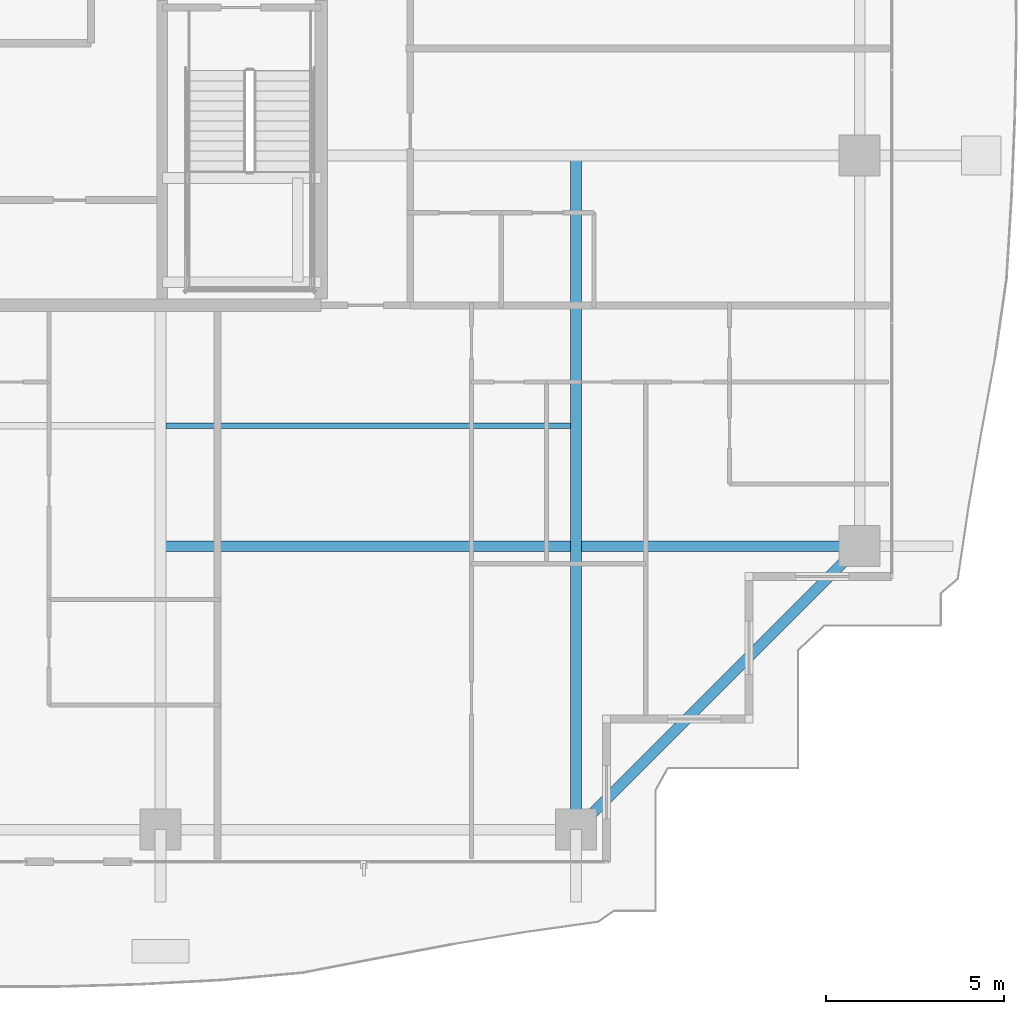
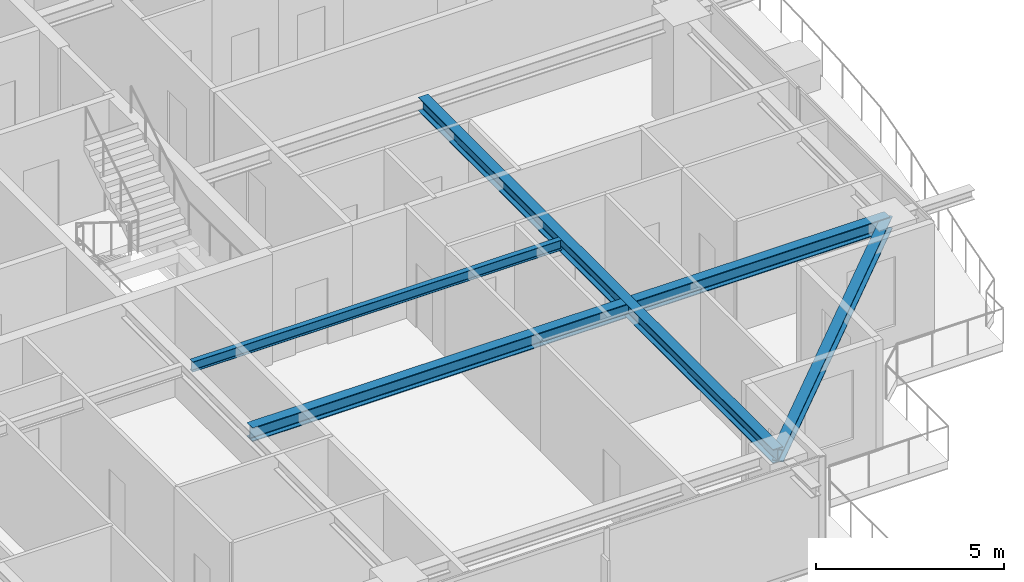
# One storey, part 12 of 38: 4 beams.
"""IFC4 building model written with IfcOpenShell, lengths in metres."""

import ifcopenshell
import ifcopenshell.guid

model = None  # the IFC model being written
_history = None  # IfcOwnerHistory: only IFC2X3 demands one
_inside = {}  # id of a spatial element -> (the spatial element, [elements in it])
_under = {}  # id of a project, library or spatial element -> (it, [spatial elements below it])
_declared = {}  # id of a project -> (the project, [libraries it declares])
_typed = {}  # id of a type object -> (the type object, [elements of that type])
_made_of = {}  # id of a material, layer set ... -> (it, [elements and type objects made of it])


def new_model(schema):
    """Start an empty IFC model of exactly this schema.

    Asked for "IFC4X3", IfcOpenShell would pick the latest addendum, in which some entities
    have other attributes; the version numbers below select the first issue.
    IFC2X3 requires an IfcOwnerHistory on every rooted entity: one is made here for all.
    """
    global model, _history
    if schema == "IFC4X3":
        model = ifcopenshell.file(schema_version=(4, 3, 0, 0))
    else:
        model = ifcopenshell.file(schema=schema)
    _inside.clear()
    _under.clear()
    _declared.clear()
    _typed.clear()
    _made_of.clear()
    _history = None
    if model.schema == "IFC2X3":
        org = make("IfcOrganization", Name="unknown")
        user = make(
            "IfcPersonAndOrganization",
            ThePerson=make("IfcPerson", FamilyName="unknown"),
            TheOrganization=org,
        )
        app = make(
            "IfcApplication",
            ApplicationDeveloper=org,
            Version="unknown",
            ApplicationFullName="unknown",
            ApplicationIdentifier="unknown",
        )
        _history = make(
            "IfcOwnerHistory",
            OwningUser=user,
            OwningApplication=app,
            ChangeAction="ADDED",
            CreationDate=0,
        )
    return model


def make(cls, **values):
    """One entity of the class cls with the attributes given. An attribute that is None is left unset."""
    return model.create_entity(
        cls, **{name: value for name, value in values.items() if value is not None}
    )


def rooted(cls, **values):
    """An entity with a GlobalId (a new one), such as an element, a storey or a relation."""
    return make(cls, GlobalId=ifcopenshell.guid.new(), OwnerHistory=_history, **values)


def si_unit(unit_type, name, prefix=None):
    """IfcSIUnit, for example si_unit("LENGTHUNIT", "METRE", prefix="MILLI")."""
    return make("IfcSIUnit", UnitType=unit_type, Prefix=prefix, Name=name)


def assignment(units):
    """IfcUnitAssignment: the units of a project."""
    return None if units is None else make("IfcUnitAssignment", Units=units)


def point(xyz):
    """IfcCartesianPoint."""
    return None if xyz is None else make("IfcCartesianPoint", Coordinates=xyz)


def direction(xyz):
    """IfcDirection."""
    return None if xyz is None else make("IfcDirection", DirectionRatios=xyz)


def frame(location, z_axis=None, x_axis=None):
    """IfcAxis2Placement3D, a coordinate frame: its origin and axes. An axis left out is left unset."""
    return make(
        "IfcAxis2Placement3D",
        Location=point(location),
        Axis=direction(z_axis),
        RefDirection=direction(x_axis),
    )


def frame_2d(location, x_axis=None):
    """IfcAxis2Placement2D, a coordinate frame in the plane: its origin and x axis."""
    return make(
        "IfcAxis2Placement2D", Location=point(location), RefDirection=direction(x_axis)
    )


def origin():
    """The frame at (0, 0, 0) with its axes left unset."""
    return frame((0.0, 0.0, 0.0))


def origin_2d():
    """The frame at (0, 0) in the plane with its x axis left unset."""
    return frame_2d((0.0, 0.0))


def place(relative_to, where):
    """IfcLocalPlacement: puts the frame where relative to a parent placement (None: the world)."""
    return make(
        "IfcLocalPlacement", PlacementRelTo=relative_to, RelativePlacement=where
    )


def context(
    kind, dimensions, precision=None, world=None, true_north=None, identifier=None
):
    """IfcGeometricRepresentationContext, for example the 3D "Model" context."""
    return make(
        "IfcGeometricRepresentationContext",
        ContextIdentifier=identifier,
        ContextType=kind,
        CoordinateSpaceDimension=dimensions,
        Precision=precision,
        WorldCoordinateSystem=world,
        TrueNorth=true_north,
    )


def subcontext(parent, identifier, kind, view, scale=None):
    """IfcGeometricRepresentationSubContext, for example "Body" below "Model"."""
    return make(
        "IfcGeometricRepresentationSubContext",
        ContextIdentifier=identifier,
        ContextType=kind,
        ParentContext=parent,
        TargetScale=scale,
        TargetView=view,
    )


def project(units=None, contexts=None):
    """IfcProject with its units and contexts."""
    return rooted(
        "IfcProject",
        Name="project",
        RepresentationContexts=contexts,
        UnitsInContext=assignment(units),
    )


def spatial(cls, under=None, at=None, **own):
    """A site, building, storey or space (cls), placed at a placement, below another one or the project."""
    s = rooted(cls, ObjectPlacement=at, **own)
    if under is not None:
        _under.setdefault(under.id(), (under, []))[1].append(s)
    return s


def profile(cls, at=None, kind="AREA", **sizes):
    """A parametric profile (cls). Its sizes go by their IFC names, for example OverallWidth=200.0."""
    return make(cls, ProfileType=kind, Position=at, **sizes)


def i_section(**sizes):
    """IfcIShapeProfileDef."""
    return profile("IfcIShapeProfileDef", **sizes)


def extrude(swept, where, along, depth):
    """IfcExtrudedAreaSolid: the profile swept, set in the frame where, extruded along a direction by depth."""
    return make(
        "IfcExtrudedAreaSolid",
        SweptArea=swept,
        Position=where,
        ExtrudedDirection=direction(along),
        Depth=depth,
    )


def shape(context_of_items, identifier, shape_type, items):
    """IfcShapeRepresentation: the items that make up one representation, for example the "Body"."""
    return make(
        "IfcShapeRepresentation",
        ContextOfItems=context_of_items,
        RepresentationIdentifier=identifier,
        RepresentationType=shape_type,
        Items=items,
    )


def source(mapping_origin, context_of_items, identifier, shape_type, items):
    """IfcRepresentationMap: a shape defined once, which mapped items show again and again."""
    return make(
        "IfcRepresentationMap",
        MappingOrigin=mapping_origin,
        MappedRepresentation=shape(context_of_items, identifier, shape_type, items),
    )


def transform(
    local_origin,
    x_axis=None,
    y_axis=None,
    z_axis=None,
    scale=None,
    scale2=None,
    scale3=None,
    uniform=True,
):
    """IfcCartesianTransformationOperator3D, or its non-uniform kind. x_axis, y_axis, z_axis: its Axis1, 2, 3."""
    if uniform:
        return make(
            "IfcCartesianTransformationOperator3D",
            Axis1=direction(x_axis),
            Axis2=direction(y_axis),
            LocalOrigin=point(local_origin),
            Scale=scale,
            Axis3=direction(z_axis),
        )
    return make(
        "IfcCartesianTransformationOperator3DnonUniform",
        Axis1=direction(x_axis),
        Axis2=direction(y_axis),
        LocalOrigin=point(local_origin),
        Scale=scale,
        Axis3=direction(z_axis),
        Scale2=scale2,
        Scale3=scale3,
    )


def mapped(mapping_source, mapping_target):
    """IfcMappedItem: shows the shape of a source again, moved by a transform."""
    return make(
        "IfcMappedItem", MappingSource=mapping_source, MappingTarget=mapping_target
    )


def material(Name=None, Category=None):
    """IfcMaterial."""
    return make("IfcMaterial", Name=Name, Category=Category)


def material_profile(
    of_material, cross_section, Name=None, Category=None, Priority=None
):
    """IfcMaterialProfile: a cross section and its material."""
    return make(
        "IfcMaterialProfile",
        Name=Name,
        Material=of_material,
        Profile=cross_section,
        Priority=Priority,
        Category=Category,
    )


def profile_set(profiles, Name=None, composite=None):
    """IfcMaterialProfileSet."""
    return make(
        "IfcMaterialProfileSet",
        Name=Name,
        MaterialProfiles=profiles,
        CompositeProfile=composite,
    )


def made_of(thing, what):
    """Note that an element or type object is made of a material, layer set ...; save() writes the relation."""
    if what is not None:
        _made_of.setdefault(what.id(), (what, []))[1].append(thing)
    return thing


def type_object(cls, material=None, **own):
    """A type object (cls), such as IfcWallType, which elements share."""
    return made_of(rooted(cls, **own), material)


def element(
    cls,
    number,
    at=None,
    inside=None,
    cuts=None,
    type_object=None,
    material=None,
    context=None,
    identifier="Body",
    shape_type=None,
    held_by="IfcProductDefinitionShape",
    body=None,
    shapes=None,
    **own,
):
    """One element of the class cls, such as IfcWall. Its Tag is "e" and its number.

    at: its placement. inside: the storey or other place that contains it. cuts: it is an
    opening in that element (IfcRelVoidsElement). A single representation is given by context,
    identifier, shape_type and body (its items); several are given by shapes. held_by: the class
    of the entity that holds the representations. save() writes the other relations.
    """
    e = rooted(cls, Tag="e%d" % number, ObjectPlacement=at, **own)
    if body is not None:
        shapes = [shape(context, identifier, shape_type, body)]
    if shapes is not None:
        e.Representation = make(held_by, Representations=shapes)
    if inside is not None:
        _inside.setdefault(inside.id(), (inside, []))[1].append(e)
    if cuts is not None:
        rooted(
            "IfcRelVoidsElement", RelatingBuildingElement=cuts, RelatedOpeningElement=e
        )
    if type_object is not None:
        _typed.setdefault(type_object.id(), (type_object, []))[1].append(e)
    return made_of(e, material)


def aggregate(whole, parts):
    """IfcRelAggregates: a whole, such as a stair, and the parts it consists of."""
    return rooted("IfcRelAggregates", RelatingObject=whole, RelatedObjects=parts)


def save(model, path):
    """Write the relations noted so far, then the file.

    IfcRelAggregates (storeys below a building ...), IfcRelContainedInSpatialStructure (elements
    in a storey), IfcRelDefinesByType, IfcRelAssociatesMaterial and IfcRelDeclares: one each for
    every whole, place, type object, material and project.
    """
    for whole, parts in _under.values():
        aggregate(whole, parts)
    for where, things in _inside.values():
        rooted(
            "IfcRelContainedInSpatialStructure",
            RelatedElements=things,
            RelatingStructure=where,
        )
    for kind, things in _typed.values():
        rooted("IfcRelDefinesByType", RelatedObjects=things, RelatingType=kind)
    for what, things in _made_of.values():
        rooted("IfcRelAssociatesMaterial", RelatedObjects=things, RelatingMaterial=what)
    for by, libraries in _declared.values():
        rooted("IfcRelDeclares", RelatingContext=by, RelatedDefinitions=libraries)
    model.write(path)


model = new_model("IFC4")

# Units and contexts
model_context = context("Model", 3, precision=1e-05, world=origin(), true_north=direction((0.0, 1.0)))
body_context = subcontext(model_context, "Body", "Model", "MODEL_VIEW")
ifc_project = project(units=[si_unit("LENGTHUNIT", "METRE"), si_unit("AREAUNIT", "SQUARE_METRE"), si_unit("VOLUMEUNIT", "CUBIC_METRE"), si_unit("PLANEANGLEUNIT", "RADIAN"), si_unit("MASSUNIT", "GRAM", prefix="KILO")], contexts=[model_context])

# Site, building, storey
site_placement = place(None, origin())
site = spatial("IfcSite", under=ifc_project, at=site_placement, CompositionType="ELEMENT")
building_placement = place(site_placement, origin())
building = spatial("IfcBuilding", under=site, at=building_placement, Name="Serunith Strait Residences", CompositionType="ELEMENT")
storey_placement = place(building_placement, frame((0.0, 0.0, 229.699951171875)))
storey = spatial("IfcBuildingStorey", under=building, at=storey_placement, Name="L57", CompositionType="ELEMENT", Elevation=229.699951171875)

# Beams
ifc_material = material(Name="Steel S355J2", Category="steel")
ifc_material_profile_1 = material_profile(ifc_material, i_section(OverallWidth=0.300048828125, OverallDepth=0.449951171875, WebThickness=0.013916015625, FlangeThickness=0.02587890625, FilletRadius=0.027099609375, at=origin_2d()), Name="HEB 450")
ifc_profile_set_1 = profile_set([ifc_material_profile_1], Name="Steel S355J2")
beam_type_1 = type_object("IfcBeamType", Name="BM-HEB450", PredefinedType="BEAM", material=ifc_profile_set_1)
shared_shape_1 = source(origin(), body_context, "Body", "SweptSolid", [
    extrude(i_section(OverallWidth=0.300048828125, OverallDepth=0.449951171875, WebThickness=0.013916015625, FlangeThickness=0.02587890625, FilletRadius=0.027099609375, at=origin_2d()), origin(), (0.0, 0.0, 1.0), 18.89990234375),
])
beam_1_placement = place(storey_placement, frame((48.550048828125, 21.0, 3.362060546875), z_axis=(0.0, -1.0, 0.0), x_axis=(1.0, 0.0, 0.0)))
element("IfcBeam", 1, at=beam_1_placement, inside=storey, type_object=beam_type_1, Name="L57 Orthogonal Corner Girder TC-S4", PredefinedType="BEAM", context=body_context, shape_type="MappedRepresentation", body=[
    mapped(shared_shape_1, transform((0.0, 0.0, 0.0), scale=1.0)),
])
shared_shape_2 = source(origin(), body_context, "Body", "SweptSolid", [
    extrude(i_section(OverallWidth=0.300048828125, OverallDepth=0.449951171875, WebThickness=0.013916015625, FlangeThickness=0.02587890625, FilletRadius=0.027099609375, at=origin_2d()), origin(), (0.0, 0.0, 1.0), 19.60009765625),
])
beam_2_placement = place(storey_placement, frame((36.89990234375, 10.050048828125, 3.362060546875), z_axis=(1.0, 0.0, 0.0), x_axis=(0.0, 1.0, 0.0)))
element("IfcBeam", 2, at=beam_2_placement, inside=storey, type_object=beam_type_1, Name="L57 Orthogonal Corner Girder TC-E1", PredefinedType="BEAM", context=body_context, shape_type="MappedRepresentation", body=[
    mapped(shared_shape_2, transform((0.0, 0.0, 0.0), scale=1.0)),
])
ifc_material_profile_2 = material_profile(ifc_material, i_section(OverallWidth=0.300048828125, OverallDepth=0.39990234375, WebThickness=0.013427734375, FlangeThickness=0.02392578125, FilletRadius=0.027099609375, at=origin_2d()), Name="HEB 400")
ifc_profile_set_2 = profile_set([ifc_material_profile_2], Name="Steel S355J2")
beam_type_2 = type_object("IfcBeamType", Name="BM-HEB400", PredefinedType="BEAM", material=ifc_profile_set_2)
shared_shape_3 = source(origin(), body_context, "Body", "SweptSolid", [
    extrude(i_section(OverallWidth=0.300048828125, OverallDepth=0.39990234375, WebThickness=0.013427734375, FlangeThickness=0.02392578125, FilletRadius=0.027099609375, at=origin_2d()), origin(), (0.0, 0.0, 1.0), 11.242919921875),
])
beam_3_placement = place(storey_placement, frame((48.550048828125, 2.10009765625, 3.35693359375), z_axis=(0.707106781187, 0.707106781187, 0.0), x_axis=(-0.707106781187, 0.707106781187, 0.0)))
element("IfcBeam", 3, at=beam_3_placement, inside=storey, type_object=beam_type_2, Name="L57 Perimeter Ring Beam 04", PredefinedType="BEAM", context=body_context, shape_type="MappedRepresentation", body=[
    mapped(shared_shape_3, transform((0.0, 0.0, 0.0), scale=1.0)),
])
ifc_material_profile_3 = material_profile(ifc_material, i_section(OverallWidth=0.159912109375, OverallDepth=0.330078125, WebThickness=0.007568359375, FlangeThickness=0.011474609375, FilletRadius=0.01806640625, at=origin_2d()), Name="IPE 330")
ifc_profile_set_3 = profile_set([ifc_material_profile_3], Name="Steel S355J2")
beam_type_3 = type_object("IfcBeamType", Name="BM-IPE330", PredefinedType="JOIST", material=ifc_profile_set_3)
shared_shape_4 = source(origin(), body_context, "Body", "SweptSolid", [
    extrude(i_section(OverallWidth=0.159912109375, OverallDepth=0.330078125, WebThickness=0.007568359375, FlangeThickness=0.011474609375, FilletRadius=0.01806640625, at=origin_2d()), origin(), (0.0, 0.0, 1.0), 11.349853515625),
])
beam_4_placement = place(storey_placement, frame((37.050048828125, 13.425048828125, 3.422119140625), z_axis=(1.0, 0.0, 0.0), x_axis=(0.0, 1.0, 0.0)))
element("IfcBeam", 4, at=beam_4_placement, inside=storey, type_object=beam_type_3, Name="L57 Composite Floor Joist 03", PredefinedType="JOIST", context=body_context, shape_type="MappedRepresentation", body=[
    mapped(shared_shape_4, transform((0.0, 0.0, 0.0), scale=1.0)),
])

save(model, "model.ifc")
